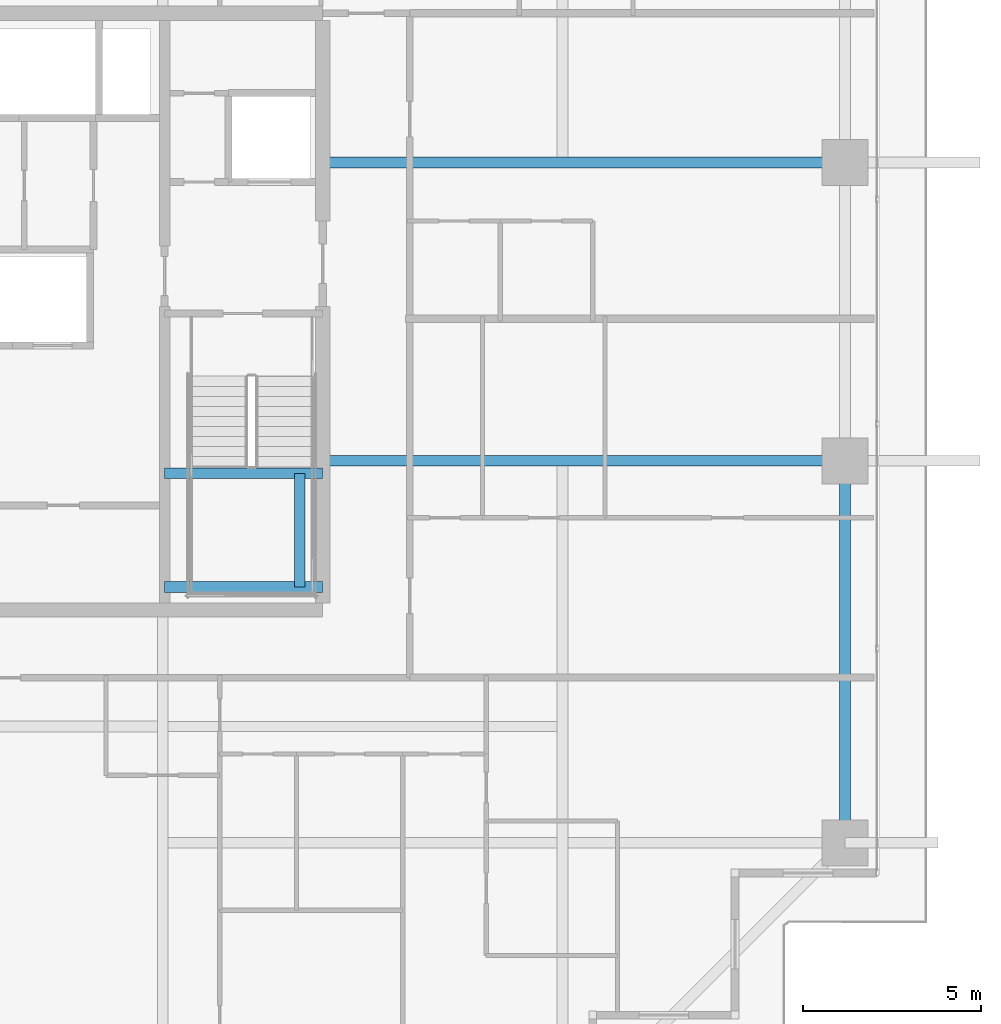
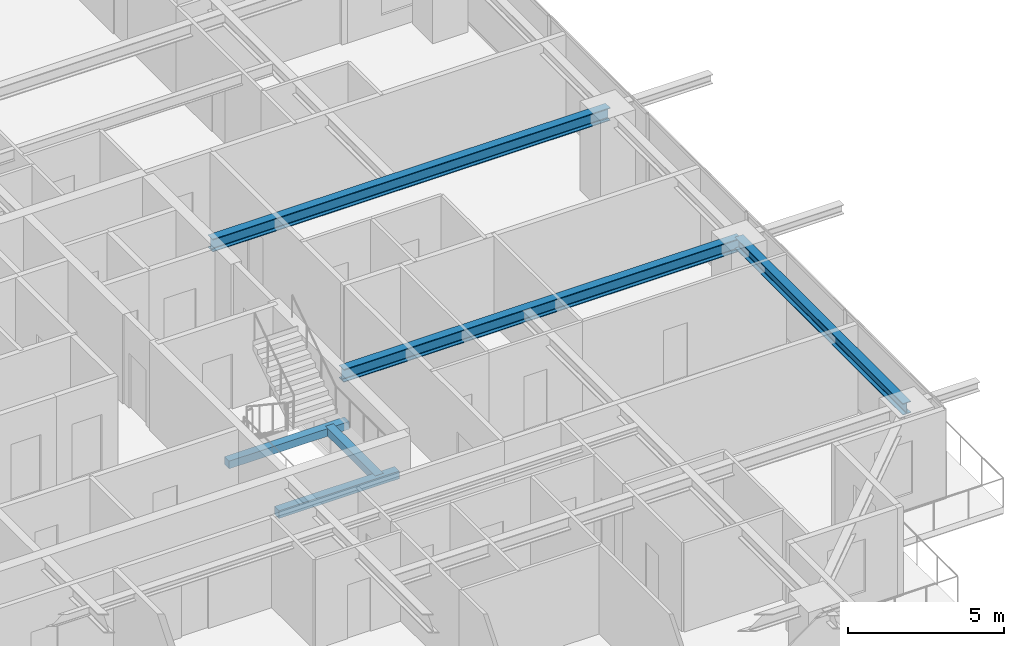
# One storey, part 14 of 34: 6 beams.
"""IFC4 building model written with IfcOpenShell, lengths in metres."""

from ifc_helpers import new_model, si_unit, direction, frame, origin, origin_2d, place, context, subcontext, project, spatial, rectangle, i_section, extrude, source, transform, mapped, material, material_profile, profile_set, type_object, element, save


model = new_model("IFC4")

# Units and contexts
model_context = context("Model", 3, precision=1e-05, world=origin(), true_north=direction((0.0, 1.0)))
body_context = subcontext(model_context, "Body", "Model", "MODEL_VIEW")
ifc_project = project(units=[si_unit("LENGTHUNIT", "METRE"), si_unit("AREAUNIT", "SQUARE_METRE"), si_unit("VOLUMEUNIT", "CUBIC_METRE"), si_unit("PLANEANGLEUNIT", "RADIAN"), si_unit("MASSUNIT", "GRAM", prefix="KILO")], contexts=[model_context])

# Site, building, storey
site_placement = place(None, origin())
site = spatial("IfcSite", under=ifc_project, at=site_placement, CompositionType="ELEMENT")
building_placement = place(site_placement, origin())
building = spatial("IfcBuilding", under=site, at=building_placement, Name="Serunith Strait Residences", CompositionType="ELEMENT")
storey_placement = place(building_placement, frame((0.0, 0.0, 142.64990234375)))
storey = spatial("IfcBuildingStorey", under=building, at=storey_placement, Name="L35", CompositionType="ELEMENT", Elevation=142.64990234375)

# Beams
ifc_material_1 = material(Name="Steel S355J2", Category="steel")
ifc_material_profile_1 = material_profile(ifc_material_1, i_section(OverallWidth=0.300048828125, OverallDepth=0.5, WebThickness=0.014404296875, FlangeThickness=0.028076171875, FilletRadius=0.027099609375, at=origin_2d()), Name="HEB 500")
ifc_profile_set_1 = profile_set([ifc_material_profile_1], Name="Steel S355J2")
beam_type_1 = type_object("IfcBeamType", Name="BM-HEB500", PredefinedType="BEAM", material=ifc_profile_set_1)
shared_shape_1 = source(origin(), body_context, "Body", "SweptSolid", [
    extrude(i_section(OverallWidth=0.300048828125, OverallDepth=0.5, WebThickness=0.014404296875, FlangeThickness=0.028076171875, FilletRadius=0.027099609375, at=origin_2d()), origin(), (0.0, 0.0, 1.0), 14.7001953125),
])
for number, where, z_axis, x_axis, name in (
    (1, (41.39990234375, 21.0, 3.237060546875), (1.0, 0.0, 0.0), (0.0, 1.0, 0.0), "L35 Primary Floor Girder TC-E2"),
    (2, (41.39990234375, 29.39990234375, 3.237060546875), (1.0, 0.0, 0.0), (0.0, 1.0, 0.0), "L35 Primary Floor Girder TC-E3"),
):
    element("IfcBeam", number, at=place(storey_placement, frame(where, z_axis=z_axis, x_axis=x_axis)), inside=storey, type_object=beam_type_1, Name=name, PredefinedType="BEAM", context=body_context, shape_type="MappedRepresentation", body=[
        mapped(shared_shape_1, transform((0.0, 0.0, 0.0), scale=1.0)),
    ])
ifc_material_profile_2 = material_profile(ifc_material_1, i_section(OverallWidth=0.300048828125, OverallDepth=0.449951171875, WebThickness=0.013916015625, FlangeThickness=0.02587890625, FilletRadius=0.027099609375, at=origin_2d()), Name="HEB 450")
ifc_profile_set_2 = profile_set([ifc_material_profile_2], Name="Steel S355J2")
beam_type_2 = type_object("IfcBeamType", Name="BM-HEB450", PredefinedType="BEAM", material=ifc_profile_set_2)
shared_shape_2 = source(origin(), body_context, "Body", "SweptSolid", [
    extrude(i_section(OverallWidth=0.300048828125, OverallDepth=0.449951171875, WebThickness=0.013916015625, FlangeThickness=0.02587890625, FilletRadius=0.027099609375, at=origin_2d()), origin(), (0.0, 0.0, 1.0), 10.75),
])
beam_1_placement = place(storey_placement, frame((56.10009765625, 10.25, 3.26220703125), z_axis=(0.0, 1.0, 0.0), x_axis=(-1.0, 0.0, 0.0)))
element("IfcBeam", 3, at=beam_1_placement, inside=storey, type_object=beam_type_2, Name="L35 Perimeter Ring Beam 05", PredefinedType="BEAM", context=body_context, shape_type="MappedRepresentation", body=[
    mapped(shared_shape_2, transform((0.0, 0.0, 0.0), scale=1.0)),
])
ifc_material_2 = material(Name="Concrete C60/75", Category="concrete")
ifc_material_profile_3 = material_profile(ifc_material_2, rectangle(XDim=0.300048828125, YDim=0.300048828125, at=origin_2d()), Name="RC 300x300")
ifc_profile_set_3 = profile_set([ifc_material_profile_3], Name="Concrete C60/75")
beam_type_3 = type_object("IfcBeamType", Name="BM-LAND-300x300", PredefinedType="BEAM", material=ifc_profile_set_3)
shared_shape_3 = source(origin(), body_context, "Body", "SweptSolid", [
    extrude(rectangle(XDim=0.300048828125, YDim=0.300048828125, at=origin_2d()), origin(), (0.0, 0.0, 1.0), 3.199951171875),
])
beam_2_placement = place(storey_placement, frame((40.75, 17.449951171875, 1.525146484375), z_axis=(0.0, 1.0, 0.0), x_axis=(-1.0, 0.0, 0.0)))
element("IfcBeam", 4, at=beam_2_placement, inside=storey, type_object=beam_type_3, Name="L35 ST-2 Landing Transverse Tie Beam", PredefinedType="BEAM", context=body_context, shape_type="MappedRepresentation", body=[
    mapped(shared_shape_3, transform((0.0, 0.0, 0.0), scale=1.0)),
])
shared_shape_4 = source(origin(), body_context, "Body", "SweptSolid", [
    extrude(rectangle(XDim=0.300048828125, YDim=0.300048828125, at=origin_2d()), origin(), (0.0, 0.0, 1.0), 4.449951171875),
])
for number, where, z_axis, x_axis, name in (
    (5, (36.949951171875, 17.449951171875, 1.525146484375), (1.0, 0.0, 0.0), (0.0, 1.0, 0.0), "L35 ST-2 Landing Support Beam 1"),
    (6, (36.949951171875, 20.64990234375, 1.525146484375), (1.0, 0.0, 0.0), (0.0, 1.0, 0.0), "L35 ST-2 Landing Support Beam 2"),
):
    element("IfcBeam", number, at=place(storey_placement, frame(where, z_axis=z_axis, x_axis=x_axis)), inside=storey, type_object=beam_type_3, Name=name, PredefinedType="BEAM", context=body_context, shape_type="MappedRepresentation", body=[
        mapped(shared_shape_4, transform((0.0, 0.0, 0.0), scale=1.0)),
    ])

save(model, "model.ifc")
